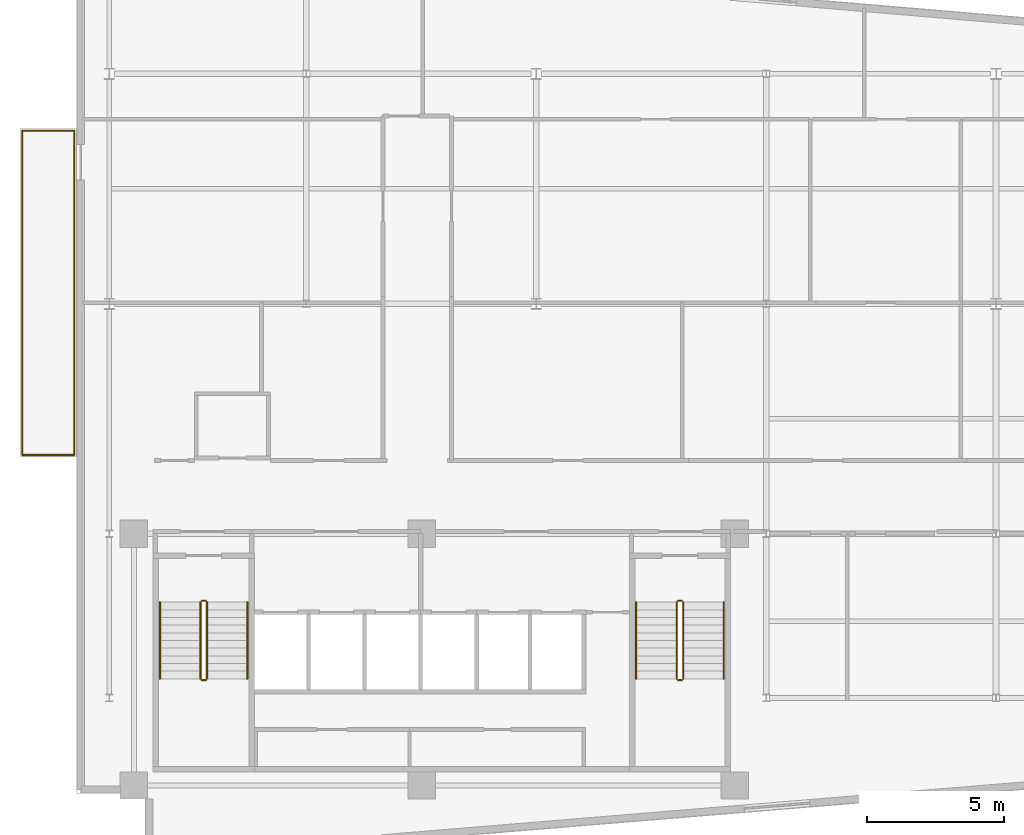
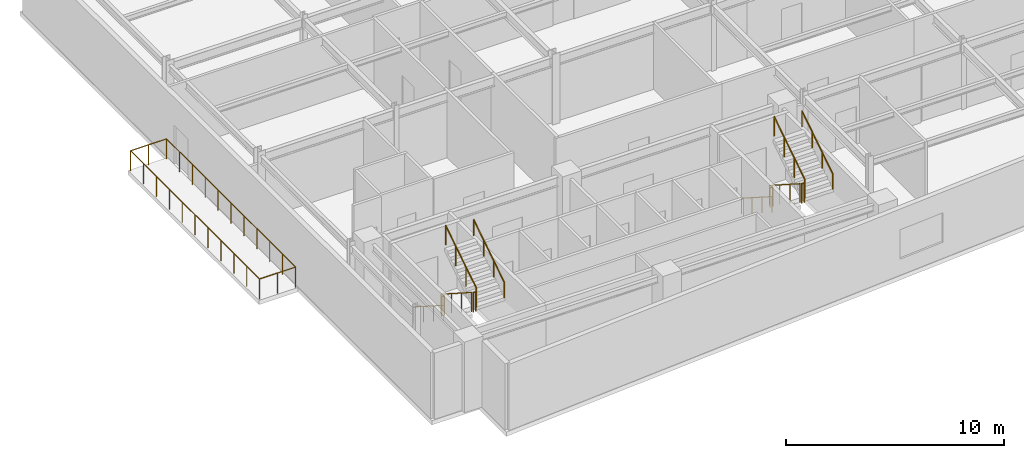
# One storey, part 13 of 15: 16 railings.
"""IFC4 building model written with IfcOpenShell, lengths in metres."""

from ifc_helpers import new_model, si_unit, direction, frame, origin, origin_2d, place, context, subcontext, project, spatial, circle, extrude, material, type_object, element, save


model = new_model("IFC4")

# Units and contexts
model_context = context("Model", 3, precision=1e-05, world=origin(), true_north=direction((0.0, 1.0)))
body_context = subcontext(model_context, "Body", "Model", "MODEL_VIEW")
ifc_project = project(units=[si_unit("LENGTHUNIT", "METRE"), si_unit("AREAUNIT", "SQUARE_METRE"), si_unit("VOLUMEUNIT", "CUBIC_METRE"), si_unit("PLANEANGLEUNIT", "RADIAN"), si_unit("MASSUNIT", "GRAM", prefix="KILO")], contexts=[model_context])

# Site, building, storey
site_placement = place(None, origin())
site = spatial("IfcSite", under=ifc_project, at=site_placement, CompositionType="ELEMENT")
building_placement = place(site_placement, origin())
building = spatial("IfcBuilding", under=site, at=building_placement, Name="Varnakote Quay Hospital", CompositionType="ELEMENT")
storey_placement = place(building_placement, frame((0.0, 0.0, 207.89990234375)))
storey = spatial("IfcBuildingStorey", under=building, at=storey_placement, Name="L51", CompositionType="ELEMENT", Elevation=207.89990234375)

# Railings
ifc_material_1 = material(Name="Anodised aluminium 6063-T6 Bronze", Category="aluminium")
railing_type_1 = type_object("IfcRailingType", Name="RLG-EXT-GUARD-1150", PredefinedType="GUARDRAIL", material=ifc_material_1)
railing_1_placement = place(storey_placement, frame((-0.075927734375, 14.8798828125, 0.0)))
element("IfcRailing", 1, at=railing_1_placement, inside=storey, type_object=railing_type_1, Name="L51 Zigzag Prow Healing Terrace Safety Guard", PredefinedType="GUARDRAIL", context=body_context, shape_type="SweptSolid", body=[
    extrude(circle(Radius=0.02392578125, at=origin_2d()), frame((0.0, 0.0, 1.1259765625), z_axis=(-1.0, 0.0, 0.0), x_axis=(0.0, -1.0, 0.0)), (0.0, 0.0, 1.0), 1.904052734375),
    extrude(circle(Radius=0.02099609375, at=origin_2d()), origin(), (0.0, 0.0, 1.0), 1.101806640625),
    extrude(circle(Radius=0.02099609375, at=origin_2d()), frame((-0.9521484375, 0.0, 0.0)), (0.0, 0.0, 1.0), 1.101806640625),
    extrude(circle(Radius=0.02099609375, at=origin_2d()), frame((-1.904052734375, 0.0, 0.0)), (0.0, 0.0, 1.0), 1.101806640625),
])
railing_2_placement = place(storey_placement, frame((-1.97998046875, 14.8798828125, 0.0)))
element("IfcRailing", 2, at=railing_2_placement, inside=storey, type_object=railing_type_1, Name="L51 Zigzag Prow Healing Terrace Safety Guard", PredefinedType="GUARDRAIL", context=body_context, shape_type="SweptSolid", body=[
    extrude(circle(Radius=0.02392578125, at=origin_2d()), frame((0.0, 0.0, 1.1259765625), z_axis=(0.0, 1.0, 0.0), x_axis=(-1.0, 0.0, 0.0)), (0.0, 0.0, 1.0), 11.840087890625),
    extrude(circle(Radius=0.02099609375, at=origin_2d()), origin(), (0.0, 0.0, 1.0), 1.101806640625),
    extrude(circle(Radius=0.02099609375, at=origin_2d()), frame((0.0, 1.18408203125, 0.0)), (0.0, 0.0, 1.0), 1.101806640625),
    extrude(circle(Radius=0.02099609375, at=origin_2d()), frame((0.0, 2.367919921875, 0.0)), (0.0, 0.0, 1.0), 1.101806640625),
    extrude(circle(Radius=0.02099609375, at=origin_2d()), frame((0.0, 3.552001953125, 0.0)), (0.0, 0.0, 1.0), 1.101806640625),
    extrude(circle(Radius=0.02099609375, at=origin_2d()), frame((0.0, 4.736083984375, 0.0)), (0.0, 0.0, 1.0), 1.101806640625),
    extrude(circle(Radius=0.02099609375, at=origin_2d()), frame((0.0, 5.919921875, 0.0)), (0.0, 0.0, 1.0), 1.101806640625),
    extrude(circle(Radius=0.02099609375, at=origin_2d()), frame((0.0, 7.10400390625, 0.0)), (0.0, 0.0, 1.0), 1.101806640625),
    extrude(circle(Radius=0.02099609375, at=origin_2d()), frame((0.0, 8.2880859375, 0.0)), (0.0, 0.0, 1.0), 1.101806640625),
    extrude(circle(Radius=0.02099609375, at=origin_2d()), frame((0.0, 9.47216796875, 0.0)), (0.0, 0.0, 1.0), 1.101806640625),
    extrude(circle(Radius=0.02099609375, at=origin_2d()), frame((0.0, 10.656005859375, 0.0)), (0.0, 0.0, 1.0), 1.101806640625),
    extrude(circle(Radius=0.02099609375, at=origin_2d()), frame((0.0, 11.840087890625, 0.0)), (0.0, 0.0, 1.0), 1.101806640625),
])
railing_3_placement = place(storey_placement, frame((-1.97998046875, 26.719970703125, 0.0)))
element("IfcRailing", 3, at=railing_3_placement, inside=storey, type_object=railing_type_1, Name="L51 Zigzag Prow Healing Terrace Safety Guard", PredefinedType="GUARDRAIL", context=body_context, shape_type="SweptSolid", body=[
    extrude(circle(Radius=0.02392578125, at=origin_2d()), frame((0.0, 0.0, 1.1259765625), z_axis=(1.0, 0.0, 0.0), x_axis=(0.0, 1.0, 0.0)), (0.0, 0.0, 1.0), 1.904052734375),
    extrude(circle(Radius=0.02099609375, at=origin_2d()), origin(), (0.0, 0.0, 1.0), 1.101806640625),
    extrude(circle(Radius=0.02099609375, at=origin_2d()), frame((0.9521484375, 0.0, 0.0)), (0.0, 0.0, 1.0), 1.101806640625),
    extrude(circle(Radius=0.02099609375, at=origin_2d()), frame((1.904052734375, 0.0, 0.0)), (0.0, 0.0, 1.0), 1.101806640625),
])
railing_4_placement = place(storey_placement, frame((-0.075927734375, 26.719970703125, 0.0)))
element("IfcRailing", 4, at=railing_4_placement, inside=storey, type_object=railing_type_1, Name="L51 Zigzag Prow Healing Terrace Safety Guard", PredefinedType="GUARDRAIL", context=body_context, shape_type="SweptSolid", body=[
    extrude(circle(Radius=0.02392578125, at=origin_2d()), frame((0.0, 0.0, 1.1259765625), z_axis=(0.0, -1.0, 0.0), x_axis=(1.0, 0.0, 0.0)), (0.0, 0.0, 1.0), 11.840087890625),
    extrude(circle(Radius=0.02099609375, at=origin_2d()), origin(), (0.0, 0.0, 1.0), 1.101806640625),
    extrude(circle(Radius=0.02099609375, at=origin_2d()), frame((0.0, -1.18408203125, 0.0)), (0.0, 0.0, 1.0), 1.101806640625),
    extrude(circle(Radius=0.02099609375, at=origin_2d()), frame((0.0, -2.367919921875, 0.0)), (0.0, 0.0, 1.0), 1.101806640625),
    extrude(circle(Radius=0.02099609375, at=origin_2d()), frame((0.0, -3.552001953125, 0.0)), (0.0, 0.0, 1.0), 1.101806640625),
    extrude(circle(Radius=0.02099609375, at=origin_2d()), frame((0.0, -4.736083984375, 0.0)), (0.0, 0.0, 1.0), 1.101806640625),
    extrude(circle(Radius=0.02099609375, at=origin_2d()), frame((0.0, -5.919921875, 0.0)), (0.0, 0.0, 1.0), 1.101806640625),
    extrude(circle(Radius=0.02099609375, at=origin_2d()), frame((0.0, -7.10400390625, 0.0)), (0.0, 0.0, 1.0), 1.101806640625),
    extrude(circle(Radius=0.02099609375, at=origin_2d()), frame((0.0, -8.2880859375, 0.0)), (0.0, 0.0, 1.0), 1.101806640625),
    extrude(circle(Radius=0.02099609375, at=origin_2d()), frame((0.0, -9.47216796875, 0.0)), (0.0, 0.0, 1.0), 1.101806640625),
    extrude(circle(Radius=0.02099609375, at=origin_2d()), frame((0.0, -10.656005859375, 0.0)), (0.0, 0.0, 1.0), 1.101806640625),
    extrude(circle(Radius=0.02099609375, at=origin_2d()), frame((0.0, -11.840087890625, 0.0)), (0.0, 0.0, 1.0), 1.101806640625),
])
ifc_material_2 = material(Name="Brushed stainless steel balustrade", Category="steel")
railing_type_2 = type_object("IfcRailingType", Name="RLG-STAIR-GUARD-1150", PredefinedType="GUARDRAIL", material=ifc_material_2)
railing_5_placement = place(storey_placement, frame((4.530029296875, 9.5, 0.1796875)))
element("IfcRailing", 5, at=railing_5_placement, inside=storey, type_object=railing_type_2, Name="L51 ST-01 stair guard 1", PredefinedType="GUARDRAIL", context=body_context, shape_type="SweptSolid", body=[
    extrude(circle(Radius=0.02392578125, at=origin_2d()), frame((0.0, 0.0, 1.076171875), z_axis=(0.0, -0.841809871826, 0.539774156196), x_axis=(1.0, 0.0, 0.0)), (0.0, 0.0, 1.0), 3.326171875),
    extrude(circle(Radius=0.02099609375, at=origin_2d()), origin(), (0.0, 0.0, 1.0), 1.052001953125),
    extrude(circle(Radius=0.02099609375, at=origin_2d()), frame((0.0, -0.933349609375, 0.598388671875)), (0.0, 0.0, 1.0), 1.052001953125),
    extrude(circle(Radius=0.02099609375, at=origin_2d()), frame((0.0, -1.86669921875, 1.197021484375)), (0.0, 0.0, 1.0), 1.052001953125),
    extrude(circle(Radius=0.02099609375, at=origin_2d()), frame((0.0, -2.800048828125, 1.79541015625)), (0.0, 0.0, 1.0), 1.052001953125),
])
railing_6_placement = place(storey_placement, frame((4.580078125, 6.64990234375, 1.97509765625)))
element("IfcRailing", 6, at=railing_6_placement, inside=storey, type_object=railing_type_2, Name="L51 ST-01 stair guard 2", PredefinedType="GUARDRAIL", context=body_context, shape_type="SweptSolid", body=[
    extrude(circle(Radius=0.02392578125, at=origin_2d()), frame((0.0, 0.0, 1.076171875), z_axis=(1.0, 0.0, 0.0), x_axis=(0.0, 1.0, 0.0)), (0.0, 0.0, 1.0), 0.139892578125),
    extrude(circle(Radius=0.02099609375, at=origin_2d()), origin(), (0.0, 0.0, 1.0), 1.052001953125),
    extrude(circle(Radius=0.02099609375, at=origin_2d()), frame((0.139892578125, 0.0, 0.0)), (0.0, 0.0, 1.0), 1.052001953125),
])
railing_7_placement = place(storey_placement, frame((4.77001953125, 6.699951171875, 2.154541015625)))
element("IfcRailing", 7, at=railing_7_placement, inside=storey, type_object=railing_type_2, Name="L51 ST-01 stair guard 3", PredefinedType="GUARDRAIL", context=body_context, shape_type="SweptSolid", body=[
    extrude(circle(Radius=0.02392578125, at=origin_2d()), frame((0.0, 0.0, 1.076171875), z_axis=(0.0, 0.841776520102, 0.539826166654), x_axis=(-1.0, 0.0, 0.0)), (0.0, 0.0, 1.0), 3.326416015625),
    extrude(circle(Radius=0.02099609375, at=origin_2d()), origin(), (0.0, 0.0, 1.0), 1.052001953125),
    extrude(circle(Radius=0.02099609375, at=origin_2d()), frame((0.0, 0.933349609375, 0.5986328125)), (0.0, 0.0, 1.0), 1.052001953125),
    extrude(circle(Radius=0.02099609375, at=origin_2d()), frame((0.0, 1.86669921875, 1.197021484375)), (0.0, 0.0, 1.0), 1.052001953125),
    extrude(circle(Radius=0.02099609375, at=origin_2d()), frame((0.0, 2.800048828125, 1.795654296875)), (0.0, 0.0, 1.0), 1.052001953125),
])
railing_8_placement = place(storey_placement, frame((4.580078125, 9.550048828125, 0.0)))
element("IfcRailing", 8, at=railing_8_placement, inside=storey, type_object=railing_type_2, Name="L51 ST-01 stair guard 4", PredefinedType="GUARDRAIL", context=body_context, shape_type="SweptSolid", body=[
    extrude(circle(Radius=0.02392578125, at=origin_2d()), frame((0.0, 0.0, 1.076171875), z_axis=(1.0, 0.0, 0.0), x_axis=(0.0, 1.0, 0.0)), (0.0, 0.0, 1.0), 0.139892578125),
    extrude(circle(Radius=0.02099609375, at=origin_2d()), origin(), (0.0, 0.0, 1.0), 1.052001953125),
    extrude(circle(Radius=0.02099609375, at=origin_2d()), frame((0.139892578125, 0.0, 0.0)), (0.0, 0.0, 1.0), 1.052001953125),
])
railing_9_placement = place(storey_placement, frame((21.929931640625, 9.5, 0.1796875)))
element("IfcRailing", 9, at=railing_9_placement, inside=storey, type_object=railing_type_2, Name="L51 ST-02 stair guard 1", PredefinedType="GUARDRAIL", context=body_context, shape_type="SweptSolid", body=[
    extrude(circle(Radius=0.02392578125, at=origin_2d()), frame((0.0, 0.0, 1.076171875), z_axis=(0.0, -0.841809871826, 0.539774156196), x_axis=(1.0, 0.0, 0.0)), (0.0, 0.0, 1.0), 3.326171875),
    extrude(circle(Radius=0.02099609375, at=origin_2d()), origin(), (0.0, 0.0, 1.0), 1.052001953125),
    extrude(circle(Radius=0.02099609375, at=origin_2d()), frame((0.0, -0.933349609375, 0.598388671875)), (0.0, 0.0, 1.0), 1.052001953125),
    extrude(circle(Radius=0.02099609375, at=origin_2d()), frame((0.0, -1.86669921875, 1.197021484375)), (0.0, 0.0, 1.0), 1.052001953125),
    extrude(circle(Radius=0.02099609375, at=origin_2d()), frame((0.0, -2.800048828125, 1.79541015625)), (0.0, 0.0, 1.0), 1.052001953125),
])
railing_10_placement = place(storey_placement, frame((21.97998046875, 6.64990234375, 1.97509765625)))
element("IfcRailing", 10, at=railing_10_placement, inside=storey, type_object=railing_type_2, Name="L51 ST-02 stair guard 2", PredefinedType="GUARDRAIL", context=body_context, shape_type="SweptSolid", body=[
    extrude(circle(Radius=0.02392578125, at=origin_2d()), frame((0.0, 0.0, 1.076171875), z_axis=(1.0, 0.0, 0.0), x_axis=(0.0, 1.0, 0.0)), (0.0, 0.0, 1.0), 0.14013671875),
    extrude(circle(Radius=0.02099609375, at=origin_2d()), origin(), (0.0, 0.0, 1.0), 1.052001953125),
    extrude(circle(Radius=0.02099609375, at=origin_2d()), frame((0.14013671875, 0.0, 0.0)), (0.0, 0.0, 1.0), 1.052001953125),
])
railing_11_placement = place(storey_placement, frame((22.169921875, 6.699951171875, 2.154541015625)))
element("IfcRailing", 11, at=railing_11_placement, inside=storey, type_object=railing_type_2, Name="L51 ST-02 stair guard 3", PredefinedType="GUARDRAIL", context=body_context, shape_type="SweptSolid", body=[
    extrude(circle(Radius=0.02392578125, at=origin_2d()), frame((0.0, 0.0, 1.076171875), z_axis=(0.0, 0.841776520102, 0.539826166654), x_axis=(-1.0, 0.0, 0.0)), (0.0, 0.0, 1.0), 3.326416015625),
    extrude(circle(Radius=0.02099609375, at=origin_2d()), origin(), (0.0, 0.0, 1.0), 1.052001953125),
    extrude(circle(Radius=0.02099609375, at=origin_2d()), frame((0.0, 0.933349609375, 0.5986328125)), (0.0, 0.0, 1.0), 1.052001953125),
    extrude(circle(Radius=0.02099609375, at=origin_2d()), frame((0.0, 1.86669921875, 1.197021484375)), (0.0, 0.0, 1.0), 1.052001953125),
    extrude(circle(Radius=0.02099609375, at=origin_2d()), frame((0.0, 2.800048828125, 1.795654296875)), (0.0, 0.0, 1.0), 1.052001953125),
])
railing_12_placement = place(storey_placement, frame((21.97998046875, 9.550048828125, 0.0)))
element("IfcRailing", 12, at=railing_12_placement, inside=storey, type_object=railing_type_2, Name="L51 ST-02 stair guard 4", PredefinedType="GUARDRAIL", context=body_context, shape_type="SweptSolid", body=[
    extrude(circle(Radius=0.02392578125, at=origin_2d()), frame((0.0, 0.0, 1.076171875), z_axis=(1.0, 0.0, 0.0), x_axis=(0.0, 1.0, 0.0)), (0.0, 0.0, 1.0), 0.14013671875),
    extrude(circle(Radius=0.02099609375, at=origin_2d()), origin(), (0.0, 0.0, 1.0), 1.052001953125),
    extrude(circle(Radius=0.02099609375, at=origin_2d()), frame((0.14013671875, 0.0, 0.0)), (0.0, 0.0, 1.0), 1.052001953125),
])
ifc_material_3 = material(Name="Brushed stainless steel handrail", Category="steel")
railing_type_3 = type_object("IfcRailingType", Name="RLG-STAIR-HND-920", PredefinedType="HANDRAIL", material=ifc_material_3)
railing_13_placement = place(storey_placement, frame((3.050048828125, 9.5, 0.1796875)))
element("IfcRailing", 13, at=railing_13_placement, inside=storey, type_object=railing_type_3, Name="L51 ST-01 stair handrail 1", PredefinedType="HANDRAIL", context=body_context, shape_type="SweptSolid", body=[
    extrude(circle(Radius=0.02392578125, at=origin_2d()), frame((0.0, 0.0, 0.8759765625), z_axis=(0.0, -0.841809871826, 0.539774156196), x_axis=(1.0, 0.0, 0.0)), (0.0, 0.0, 1.0), 3.326171875),
    extrude(circle(Radius=0.02099609375, at=origin_2d()), origin(), (0.0, 0.0, 1.0), 0.851806640625),
    extrude(circle(Radius=0.02099609375, at=origin_2d()), frame((0.0, -0.933349609375, 0.598388671875)), (0.0, 0.0, 1.0), 0.851806640625),
    extrude(circle(Radius=0.02099609375, at=origin_2d()), frame((0.0, -1.86669921875, 1.197021484375)), (0.0, 0.0, 1.0), 0.851806640625),
    extrude(circle(Radius=0.02099609375, at=origin_2d()), frame((0.0, -2.800048828125, 1.79541015625)), (0.0, 0.0, 1.0), 0.851806640625),
])
railing_14_placement = place(storey_placement, frame((6.25, 6.699951171875, 2.154541015625)))
element("IfcRailing", 14, at=railing_14_placement, inside=storey, type_object=railing_type_3, Name="L51 ST-01 stair handrail 2", PredefinedType="HANDRAIL", context=body_context, shape_type="SweptSolid", body=[
    extrude(circle(Radius=0.02392578125, at=origin_2d()), frame((0.0, 0.0, 0.8759765625), z_axis=(0.0, 0.841776520102, 0.539826166654), x_axis=(-1.0, 0.0, 0.0)), (0.0, 0.0, 1.0), 3.326416015625),
    extrude(circle(Radius=0.02099609375, at=origin_2d()), origin(), (0.0, 0.0, 1.0), 0.851806640625),
    extrude(circle(Radius=0.02099609375, at=origin_2d()), frame((0.0, 0.933349609375, 0.5986328125)), (0.0, 0.0, 1.0), 0.851806640625),
    extrude(circle(Radius=0.02099609375, at=origin_2d()), frame((0.0, 1.86669921875, 1.197021484375)), (0.0, 0.0, 1.0), 0.851806640625),
    extrude(circle(Radius=0.02099609375, at=origin_2d()), frame((0.0, 2.800048828125, 1.795654296875)), (0.0, 0.0, 1.0), 0.851806640625),
])
railing_15_placement = place(storey_placement, frame((20.449951171875, 9.5, 0.1796875)))
element("IfcRailing", 15, at=railing_15_placement, inside=storey, type_object=railing_type_3, Name="L51 ST-02 stair handrail 1", PredefinedType="HANDRAIL", context=body_context, shape_type="SweptSolid", body=[
    extrude(circle(Radius=0.02392578125, at=origin_2d()), frame((0.0, 0.0, 0.8759765625), z_axis=(0.0, -0.841809871826, 0.539774156196), x_axis=(1.0, 0.0, 0.0)), (0.0, 0.0, 1.0), 3.326171875),
    extrude(circle(Radius=0.02099609375, at=origin_2d()), origin(), (0.0, 0.0, 1.0), 0.851806640625),
    extrude(circle(Radius=0.02099609375, at=origin_2d()), frame((0.0, -0.933349609375, 0.598388671875)), (0.0, 0.0, 1.0), 0.851806640625),
    extrude(circle(Radius=0.02099609375, at=origin_2d()), frame((0.0, -1.86669921875, 1.197021484375)), (0.0, 0.0, 1.0), 0.851806640625),
    extrude(circle(Radius=0.02099609375, at=origin_2d()), frame((0.0, -2.800048828125, 1.79541015625)), (0.0, 0.0, 1.0), 0.851806640625),
])
railing_16_placement = place(storey_placement, frame((23.64990234375, 6.699951171875, 2.154541015625)))
element("IfcRailing", 16, at=railing_16_placement, inside=storey, type_object=railing_type_3, Name="L51 ST-02 stair handrail 2", PredefinedType="HANDRAIL", context=body_context, shape_type="SweptSolid", body=[
    extrude(circle(Radius=0.02392578125, at=origin_2d()), frame((0.0, 0.0, 0.8759765625), z_axis=(0.0, 0.841776520102, 0.539826166654), x_axis=(-1.0, 0.0, 0.0)), (0.0, 0.0, 1.0), 3.326416015625),
    extrude(circle(Radius=0.02099609375, at=origin_2d()), origin(), (0.0, 0.0, 1.0), 0.851806640625),
    extrude(circle(Radius=0.02099609375, at=origin_2d()), frame((0.0, 0.933349609375, 0.5986328125)), (0.0, 0.0, 1.0), 0.851806640625),
    extrude(circle(Radius=0.02099609375, at=origin_2d()), frame((0.0, 1.86669921875, 1.197021484375)), (0.0, 0.0, 1.0), 0.851806640625),
    extrude(circle(Radius=0.02099609375, at=origin_2d()), frame((0.0, 2.800048828125, 1.795654296875)), (0.0, 0.0, 1.0), 0.851806640625),
])

save(model, "model.ifc")
